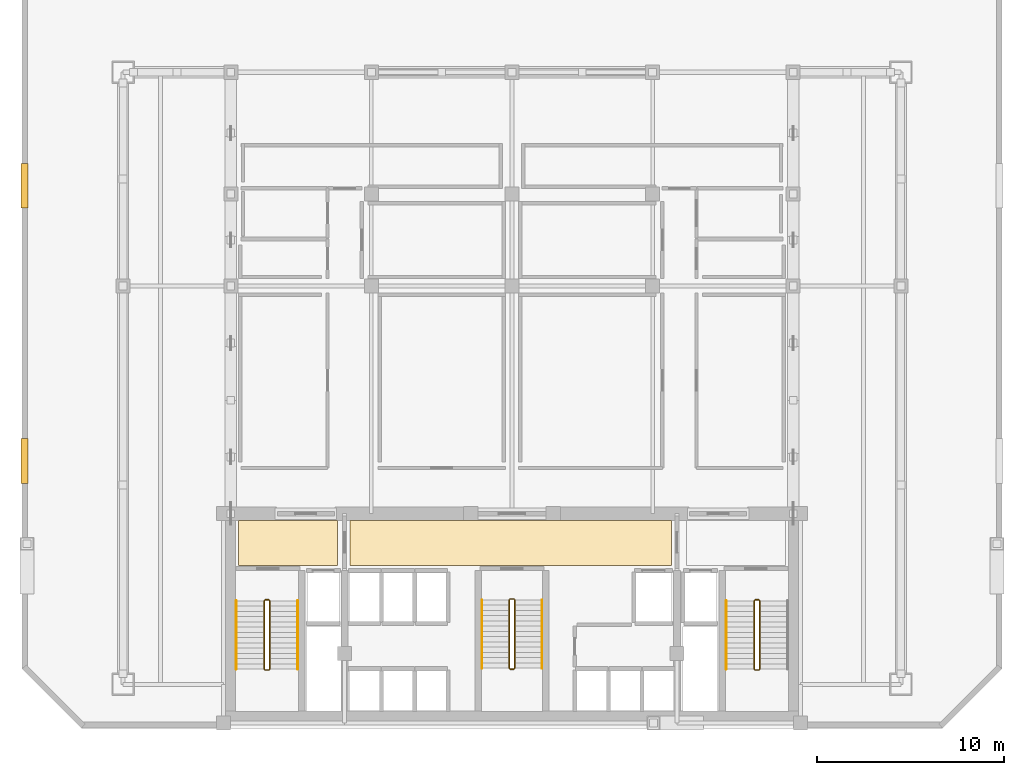
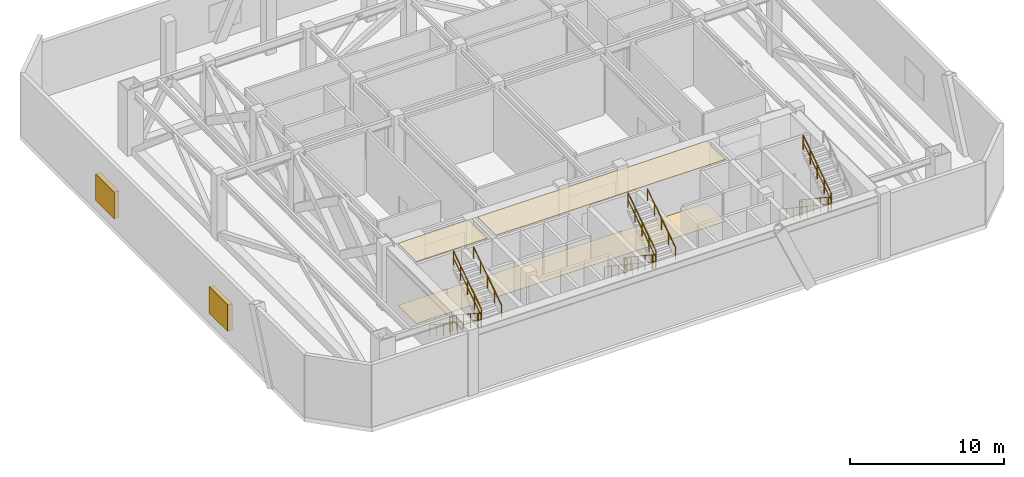
# One storey, part 9 of 10: 17 railings, 4 coverings, 2 shading devices.
"""IFC4 building model written with IfcOpenShell, lengths in metres."""

from ifc_helpers import new_model, si_unit, direction, frame, origin, origin_2d, place, context, subcontext, project, spatial, polyline, rectangle, circle, outline, extrude, material, layer, layer_set, type_object, element, save


model = new_model("IFC4")

# Units and contexts
model_context = context("Model", 3, precision=1e-05, world=origin(), true_north=direction((0.0, 1.0)))
body_context = subcontext(model_context, "Body", "Model", "MODEL_VIEW")
ifc_project = project(units=[si_unit("LENGTHUNIT", "METRE"), si_unit("AREAUNIT", "SQUARE_METRE"), si_unit("VOLUMEUNIT", "CUBIC_METRE"), si_unit("PLANEANGLEUNIT", "RADIAN"), si_unit("MASSUNIT", "GRAM", prefix="KILO")], contexts=[model_context])

# Site, building, storey
site_placement = place(None, origin())
site = spatial("IfcSite", under=ifc_project, at=site_placement, CompositionType="ELEMENT")
building_placement = place(site_placement, origin())
building = spatial("IfcBuilding", under=site, at=building_placement, Name="Ventersveld Concourse Tower", CompositionType="ELEMENT")
storey_placement = place(building_placement, frame((0.0, 0.0, 134.949951171875)))
storey = spatial("IfcBuildingStorey", under=building, at=storey_placement, Name="L33", CompositionType="ELEMENT", Elevation=134.949951171875)

# Coverings
ifc_material_1 = material(Name="Mineral-fibre acoustic ceiling tile", Category="gypsum")
ifc_layer_1 = layer(ifc_material_1, 0.0400390625)
ifc_layer_set_1 = layer_set([ifc_layer_1], Name="Mineral-fibre acoustic ceiling tile")
covering_type_1 = type_object("IfcCoveringType", Name="COV-CEIL-ACOUSTIC", PredefinedType="CEILING", material=ifc_layer_set_1)
covering_1_placement = place(storey_placement, frame((0.0, 0.0, 4.880126953125)))
element("IfcCovering", 1, at=covering_1_placement, inside=storey, type_object=covering_type_1, Name="L33 North Lift Lobby Acoustic Ceiling", PredefinedType="CEILING", context=body_context, shape_type="SweptSolid", body=[
    extrude(outline(polyline([(20.10009765625, 8.699951171875), (37.25, 8.699951171875), (37.25, 11.10009765625), (20.10009765625, 11.10009765625), (20.10009765625, 8.699951171875)])), origin(), (0.0, 0.0, 1.0), 0.0400390625),
])
covering_2_placement = place(storey_placement, frame((0.0, 0.0, 4.880126953125)))
element("IfcCovering", 2, at=covering_2_placement, inside=storey, type_object=covering_type_1, Name="L33 West Firefighting Lobby Acoustic Ceiling", PredefinedType="CEILING", context=body_context, shape_type="SweptSolid", body=[
    extrude(outline(polyline([(14.14990234375, 8.699951171875), (19.449951171875, 8.699951171875), (19.449951171875, 11.10009765625), (14.14990234375, 11.10009765625), (14.14990234375, 8.699951171875)])), origin(), (0.0, 0.0, 1.0), 0.0400390625),
])
ifc_material_2 = material(Name="Polished Highveld granite terrazzo", Category="masonry")
ifc_layer_2 = layer(ifc_material_2, 0.02001953125)
ifc_layer_set_2 = layer_set([ifc_layer_2], Name="Polished Highveld granite terrazzo")
covering_type_2 = type_object("IfcCoveringType", Name="COV-FLOOR-TERRAZZO", PredefinedType="FLOORING", material=ifc_layer_set_2)
covering_3_placement = place(storey_placement, origin())
element("IfcCovering", 3, at=covering_3_placement, inside=storey, type_object=covering_type_2, Name="L33 North Lift Lobby Terrazzo Flooring", PredefinedType="FLOORING", context=body_context, shape_type="SweptSolid", body=[
    extrude(outline(polyline([(20.10009765625, 8.699951171875), (37.25, 8.699951171875), (37.25, 11.10009765625), (20.10009765625, 11.10009765625), (20.10009765625, 8.699951171875)])), origin(), (0.0, 0.0, 1.0), 0.02001953125),
])
covering_4_placement = place(storey_placement, origin())
element("IfcCovering", 4, at=covering_4_placement, inside=storey, type_object=covering_type_2, Name="L33 West Firefighting Lobby Terrazzo Flooring", PredefinedType="FLOORING", context=body_context, shape_type="SweptSolid", body=[
    extrude(outline(polyline([(14.14990234375, 8.699951171875), (19.449951171875, 8.699951171875), (19.449951171875, 11.10009765625), (14.14990234375, 11.10009765625), (14.14990234375, 8.699951171875)])), origin(), (0.0, 0.0, 1.0), 0.02001953125),
])

# Railings
ifc_material_3 = material(Name="Brushed stainless steel 316", Category="steel")
railing_type_1 = type_object("IfcRailingType", Name="GD-BAL-115", PredefinedType="GUARDRAIL", material=ifc_material_3)
railing_1_placement = place(storey_placement, frame((15.530029296875, 6.800048828125, 0.185791015625)))
element("IfcRailing", 5, at=railing_1_placement, inside=storey, type_object=railing_type_1, Name="L33 ST-01 stair guard 1", PredefinedType="GUARDRAIL", context=body_context, shape_type="SweptSolid", body=[
    extrude(circle(Radius=0.02392578125, at=origin_2d()), frame((0.0, 0.0, 1.1259765625), z_axis=(0.0, -0.833363587613, 0.552725185641), x_axis=(1.0, 0.0, 0.0)), (0.0, 0.0, 1.0), 4.367919921875),
    extrude(circle(Radius=0.01611328125, at=origin_2d()), frame((0.0, 0.0, 0.574951171875), z_axis=(0.0, -0.833363587613, 0.552725185641), x_axis=(1.0, 0.0, 0.0)), (0.0, 0.0, 1.0), 4.367919921875),
    extrude(circle(Radius=0.02099609375, at=origin_2d()), origin(), (0.0, 0.0, 1.0), 1.101806640625),
    extrude(circle(Radius=0.02099609375, at=origin_2d()), frame((0.0, -0.91015625, 0.603515625)), (0.0, 0.0, 1.0), 1.101806640625),
    extrude(circle(Radius=0.02099609375, at=origin_2d()), frame((0.0, -1.820068359375, 1.20703125)), (0.0, 0.0, 1.0), 1.101806640625),
    extrude(circle(Radius=0.02099609375, at=origin_2d()), frame((0.0, -2.72998046875, 1.810791015625)), (0.0, 0.0, 1.0), 1.101806640625),
    extrude(circle(Radius=0.02099609375, at=origin_2d()), frame((0.0, -3.64013671875, 2.414306640625)), (0.0, 0.0, 1.0), 1.101806640625),
])
railing_2_placement = place(storey_placement, frame((15.580078125, 3.110107421875, 2.60009765625)))
element("IfcRailing", 6, at=railing_2_placement, inside=storey, type_object=railing_type_1, Name="L33 ST-01 stair guard 2", PredefinedType="GUARDRAIL", context=body_context, shape_type="SweptSolid", body=[
    extrude(circle(Radius=0.02392578125, at=origin_2d()), frame((0.0, 0.0, 1.1259765625), z_axis=(1.0, 0.0, 0.0), x_axis=(0.0, 1.0, 0.0)), (0.0, 0.0, 1.0), 0.199951171875),
    extrude(circle(Radius=0.01611328125, at=origin_2d()), frame((0.0, 0.0, 0.574951171875), z_axis=(1.0, 0.0, 0.0), x_axis=(0.0, 1.0, 0.0)), (0.0, 0.0, 1.0), 0.199951171875),
    extrude(circle(Radius=0.02099609375, at=origin_2d()), origin(), (0.0, 0.0, 1.0), 1.101806640625),
    extrude(circle(Radius=0.02099609375, at=origin_2d()), frame((0.199951171875, 0.0, 0.0)), (0.0, 0.0, 1.0), 1.101806640625),
])
railing_3_placement = place(storey_placement, frame((15.830078125, 3.159912109375, 2.78564453125)))
element("IfcRailing", 7, at=railing_3_placement, inside=storey, type_object=railing_type_1, Name="L33 ST-01 stair guard 3", PredefinedType="GUARDRAIL", context=body_context, shape_type="SweptSolid", body=[
    extrude(circle(Radius=0.02392578125, at=origin_2d()), frame((0.0, 0.0, 1.1259765625), z_axis=(0.0, 0.833363587613, 0.552725185641), x_axis=(-1.0, 0.0, 0.0)), (0.0, 0.0, 1.0), 4.367919921875),
    extrude(circle(Radius=0.01611328125, at=origin_2d()), frame((0.0, 0.0, 0.574951171875), z_axis=(0.0, 0.833363587613, 0.552725185641), x_axis=(-1.0, 0.0, 0.0)), (0.0, 0.0, 1.0), 4.367919921875),
    extrude(circle(Radius=0.02099609375, at=origin_2d()), origin(), (0.0, 0.0, 1.0), 1.101806640625),
    extrude(circle(Radius=0.02099609375, at=origin_2d()), frame((0.0, 0.91015625, 0.603515625)), (0.0, 0.0, 1.0), 1.101806640625),
    extrude(circle(Radius=0.02099609375, at=origin_2d()), frame((0.0, 1.820068359375, 1.20703125)), (0.0, 0.0, 1.0), 1.101806640625),
    extrude(circle(Radius=0.02099609375, at=origin_2d()), frame((0.0, 2.72998046875, 1.810791015625)), (0.0, 0.0, 1.0), 1.101806640625),
    extrude(circle(Radius=0.02099609375, at=origin_2d()), frame((0.0, 3.64013671875, 2.414306640625)), (0.0, 0.0, 1.0), 1.101806640625),
])
railing_4_placement = place(storey_placement, frame((15.580078125, 6.85009765625, 0.0)))
element("IfcRailing", 8, at=railing_4_placement, inside=storey, type_object=railing_type_1, Name="L33 ST-01 stair guard 4", PredefinedType="GUARDRAIL", context=body_context, shape_type="SweptSolid", body=[
    extrude(circle(Radius=0.02392578125, at=origin_2d()), frame((0.0, 0.0, 1.1259765625), z_axis=(1.0, 0.0, 0.0), x_axis=(0.0, 1.0, 0.0)), (0.0, 0.0, 1.0), 0.199951171875),
    extrude(circle(Radius=0.01611328125, at=origin_2d()), frame((0.0, 0.0, 0.574951171875), z_axis=(1.0, 0.0, 0.0), x_axis=(0.0, 1.0, 0.0)), (0.0, 0.0, 1.0), 0.199951171875),
    extrude(circle(Radius=0.02099609375, at=origin_2d()), origin(), (0.0, 0.0, 1.0), 1.101806640625),
    extrude(circle(Radius=0.02099609375, at=origin_2d()), frame((0.199951171875, 0.0, 0.0)), (0.0, 0.0, 1.0), 1.101806640625),
])
railing_5_placement = place(storey_placement, frame((41.669921875, 6.800048828125, 0.185791015625)))
element("IfcRailing", 9, at=railing_5_placement, inside=storey, type_object=railing_type_1, Name="L33 ST-02 stair guard 1", PredefinedType="GUARDRAIL", context=body_context, shape_type="SweptSolid", body=[
    extrude(circle(Radius=0.02392578125, at=origin_2d()), frame((0.0, 0.0, 1.1259765625), z_axis=(0.0, -0.833363587613, 0.552725185641), x_axis=(1.0, 0.0, 0.0)), (0.0, 0.0, 1.0), 4.367919921875),
    extrude(circle(Radius=0.01611328125, at=origin_2d()), frame((0.0, 0.0, 0.574951171875), z_axis=(0.0, -0.833363587613, 0.552725185641), x_axis=(1.0, 0.0, 0.0)), (0.0, 0.0, 1.0), 4.367919921875),
    extrude(circle(Radius=0.02099609375, at=origin_2d()), origin(), (0.0, 0.0, 1.0), 1.101806640625),
    extrude(circle(Radius=0.02099609375, at=origin_2d()), frame((0.0, -0.91015625, 0.603515625)), (0.0, 0.0, 1.0), 1.101806640625),
    extrude(circle(Radius=0.02099609375, at=origin_2d()), frame((0.0, -1.820068359375, 1.20703125)), (0.0, 0.0, 1.0), 1.101806640625),
    extrude(circle(Radius=0.02099609375, at=origin_2d()), frame((0.0, -2.72998046875, 1.810791015625)), (0.0, 0.0, 1.0), 1.101806640625),
    extrude(circle(Radius=0.02099609375, at=origin_2d()), frame((0.0, -3.64013671875, 2.414306640625)), (0.0, 0.0, 1.0), 1.101806640625),
])
railing_6_placement = place(storey_placement, frame((41.719970703125, 3.110107421875, 2.60009765625)))
element("IfcRailing", 10, at=railing_6_placement, inside=storey, type_object=railing_type_1, Name="L33 ST-02 stair guard 2", PredefinedType="GUARDRAIL", context=body_context, shape_type="SweptSolid", body=[
    extrude(circle(Radius=0.02392578125, at=origin_2d()), frame((0.0, 0.0, 1.1259765625), z_axis=(1.0, 0.0, 0.0), x_axis=(0.0, 1.0, 0.0)), (0.0, 0.0, 1.0), 0.199951171875),
    extrude(circle(Radius=0.01611328125, at=origin_2d()), frame((0.0, 0.0, 0.574951171875), z_axis=(1.0, 0.0, 0.0), x_axis=(0.0, 1.0, 0.0)), (0.0, 0.0, 1.0), 0.199951171875),
    extrude(circle(Radius=0.02099609375, at=origin_2d()), origin(), (0.0, 0.0, 1.0), 1.101806640625),
    extrude(circle(Radius=0.02099609375, at=origin_2d()), frame((0.199951171875, 0.0, 0.0)), (0.0, 0.0, 1.0), 1.101806640625),
])
railing_7_placement = place(storey_placement, frame((41.969970703125, 3.159912109375, 2.78564453125)))
element("IfcRailing", 11, at=railing_7_placement, inside=storey, type_object=railing_type_1, Name="L33 ST-02 stair guard 3", PredefinedType="GUARDRAIL", context=body_context, shape_type="SweptSolid", body=[
    extrude(circle(Radius=0.02392578125, at=origin_2d()), frame((0.0, 0.0, 1.1259765625), z_axis=(0.0, 0.833363587613, 0.552725185641), x_axis=(-1.0, 0.0, 0.0)), (0.0, 0.0, 1.0), 4.367919921875),
    extrude(circle(Radius=0.01611328125, at=origin_2d()), frame((0.0, 0.0, 0.574951171875), z_axis=(0.0, 0.833363587613, 0.552725185641), x_axis=(-1.0, 0.0, 0.0)), (0.0, 0.0, 1.0), 4.367919921875),
    extrude(circle(Radius=0.02099609375, at=origin_2d()), origin(), (0.0, 0.0, 1.0), 1.101806640625),
    extrude(circle(Radius=0.02099609375, at=origin_2d()), frame((0.0, 0.91015625, 0.603515625)), (0.0, 0.0, 1.0), 1.101806640625),
    extrude(circle(Radius=0.02099609375, at=origin_2d()), frame((0.0, 1.820068359375, 1.20703125)), (0.0, 0.0, 1.0), 1.101806640625),
    extrude(circle(Radius=0.02099609375, at=origin_2d()), frame((0.0, 2.72998046875, 1.810791015625)), (0.0, 0.0, 1.0), 1.101806640625),
    extrude(circle(Radius=0.02099609375, at=origin_2d()), frame((0.0, 3.64013671875, 2.414306640625)), (0.0, 0.0, 1.0), 1.101806640625),
])
railing_8_placement = place(storey_placement, frame((41.719970703125, 6.85009765625, 0.0)))
element("IfcRailing", 12, at=railing_8_placement, inside=storey, type_object=railing_type_1, Name="L33 ST-02 stair guard 4", PredefinedType="GUARDRAIL", context=body_context, shape_type="SweptSolid", body=[
    extrude(circle(Radius=0.02392578125, at=origin_2d()), frame((0.0, 0.0, 1.1259765625), z_axis=(1.0, 0.0, 0.0), x_axis=(0.0, 1.0, 0.0)), (0.0, 0.0, 1.0), 0.199951171875),
    extrude(circle(Radius=0.01611328125, at=origin_2d()), frame((0.0, 0.0, 0.574951171875), z_axis=(1.0, 0.0, 0.0), x_axis=(0.0, 1.0, 0.0)), (0.0, 0.0, 1.0), 0.199951171875),
    extrude(circle(Radius=0.02099609375, at=origin_2d()), origin(), (0.0, 0.0, 1.0), 1.101806640625),
    extrude(circle(Radius=0.02099609375, at=origin_2d()), frame((0.199951171875, 0.0, 0.0)), (0.0, 0.0, 1.0), 1.101806640625),
])
railing_9_placement = place(storey_placement, frame((28.60009765625, 6.85009765625, 0.185791015625)))
element("IfcRailing", 13, at=railing_9_placement, inside=storey, type_object=railing_type_1, Name="L33 ST-03 stair guard 1", PredefinedType="GUARDRAIL", context=body_context, shape_type="SweptSolid", body=[
    extrude(circle(Radius=0.02392578125, at=origin_2d()), frame((0.0, 0.0, 1.1259765625), z_axis=(0.0, -0.833363587613, 0.552725185641), x_axis=(1.0, 0.0, 0.0)), (0.0, 0.0, 1.0), 4.367919921875),
    extrude(circle(Radius=0.01611328125, at=origin_2d()), frame((0.0, 0.0, 0.574951171875), z_axis=(0.0, -0.833363587613, 0.552725185641), x_axis=(1.0, 0.0, 0.0)), (0.0, 0.0, 1.0), 4.367919921875),
    extrude(circle(Radius=0.02099609375, at=origin_2d()), origin(), (0.0, 0.0, 1.0), 1.101806640625),
    extrude(circle(Radius=0.02099609375, at=origin_2d()), frame((0.0, -0.91015625, 0.603515625)), (0.0, 0.0, 1.0), 1.101806640625),
    extrude(circle(Radius=0.02099609375, at=origin_2d()), frame((0.0, -1.820068359375, 1.20703125)), (0.0, 0.0, 1.0), 1.101806640625),
    extrude(circle(Radius=0.02099609375, at=origin_2d()), frame((0.0, -2.72998046875, 1.810791015625)), (0.0, 0.0, 1.0), 1.101806640625),
    extrude(circle(Radius=0.02099609375, at=origin_2d()), frame((0.0, -3.64013671875, 2.414306640625)), (0.0, 0.0, 1.0), 1.101806640625),
])
railing_10_placement = place(storey_placement, frame((28.64990234375, 3.159912109375, 2.60009765625)))
element("IfcRailing", 14, at=railing_10_placement, inside=storey, type_object=railing_type_1, Name="L33 ST-03 stair guard 2", PredefinedType="GUARDRAIL", context=body_context, shape_type="SweptSolid", body=[
    extrude(circle(Radius=0.02392578125, at=origin_2d()), frame((0.0, 0.0, 1.1259765625), z_axis=(1.0, 0.0, 0.0), x_axis=(0.0, 1.0, 0.0)), (0.0, 0.0, 1.0), 0.2001953125),
    extrude(circle(Radius=0.01611328125, at=origin_2d()), frame((0.0, 0.0, 0.574951171875), z_axis=(1.0, 0.0, 0.0), x_axis=(0.0, 1.0, 0.0)), (0.0, 0.0, 1.0), 0.2001953125),
    extrude(circle(Radius=0.02099609375, at=origin_2d()), origin(), (0.0, 0.0, 1.0), 1.101806640625),
    extrude(circle(Radius=0.02099609375, at=origin_2d()), frame((0.2001953125, 0.0, 0.0)), (0.0, 0.0, 1.0), 1.101806640625),
])
railing_11_placement = place(storey_placement, frame((28.89990234375, 3.2099609375, 2.78564453125)))
element("IfcRailing", 15, at=railing_11_placement, inside=storey, type_object=railing_type_1, Name="L33 ST-03 stair guard 3", PredefinedType="GUARDRAIL", context=body_context, shape_type="SweptSolid", body=[
    extrude(circle(Radius=0.02392578125, at=origin_2d()), frame((0.0, 0.0, 1.1259765625), z_axis=(0.0, 0.833363587613, 0.552725185641), x_axis=(-1.0, 0.0, 0.0)), (0.0, 0.0, 1.0), 4.367919921875),
    extrude(circle(Radius=0.01611328125, at=origin_2d()), frame((0.0, 0.0, 0.574951171875), z_axis=(0.0, 0.833363587613, 0.552725185641), x_axis=(-1.0, 0.0, 0.0)), (0.0, 0.0, 1.0), 4.367919921875),
    extrude(circle(Radius=0.02099609375, at=origin_2d()), origin(), (0.0, 0.0, 1.0), 1.101806640625),
    extrude(circle(Radius=0.02099609375, at=origin_2d()), frame((0.0, 0.91015625, 0.603515625)), (0.0, 0.0, 1.0), 1.101806640625),
    extrude(circle(Radius=0.02099609375, at=origin_2d()), frame((0.0, 1.820068359375, 1.20703125)), (0.0, 0.0, 1.0), 1.101806640625),
    extrude(circle(Radius=0.02099609375, at=origin_2d()), frame((0.0, 2.72998046875, 1.810791015625)), (0.0, 0.0, 1.0), 1.101806640625),
    extrude(circle(Radius=0.02099609375, at=origin_2d()), frame((0.0, 3.64013671875, 2.414306640625)), (0.0, 0.0, 1.0), 1.101806640625),
])
railing_12_placement = place(storey_placement, frame((28.64990234375, 6.89990234375, 0.0)))
element("IfcRailing", 16, at=railing_12_placement, inside=storey, type_object=railing_type_1, Name="L33 ST-03 stair guard 4", PredefinedType="GUARDRAIL", context=body_context, shape_type="SweptSolid", body=[
    extrude(circle(Radius=0.02392578125, at=origin_2d()), frame((0.0, 0.0, 1.1259765625), z_axis=(1.0, 0.0, 0.0), x_axis=(0.0, 1.0, 0.0)), (0.0, 0.0, 1.0), 0.2001953125),
    extrude(circle(Radius=0.01611328125, at=origin_2d()), frame((0.0, 0.0, 0.574951171875), z_axis=(1.0, 0.0, 0.0), x_axis=(0.0, 1.0, 0.0)), (0.0, 0.0, 1.0), 0.2001953125),
    extrude(circle(Radius=0.02099609375, at=origin_2d()), origin(), (0.0, 0.0, 1.0), 1.101806640625),
    extrude(circle(Radius=0.02099609375, at=origin_2d()), frame((0.2001953125, 0.0, 0.0)), (0.0, 0.0, 1.0), 1.101806640625),
])
railing_type_2 = type_object("IfcRailingType", Name="HR-RMP-095", PredefinedType="HANDRAIL", material=ifc_material_3)
railing_13_placement = place(storey_placement, frame((14.030029296875, 6.800048828125, 0.185791015625)))
element("IfcRailing", 17, at=railing_13_placement, inside=storey, type_object=railing_type_2, Name="L33 ST-01 stair handrail 1", PredefinedType="HANDRAIL", context=body_context, shape_type="SweptSolid", body=[
    extrude(circle(Radius=0.02392578125, at=origin_2d()), frame((0.0, 0.0, 0.92578125), z_axis=(0.0, -0.833363587613, 0.552725185641), x_axis=(1.0, 0.0, 0.0)), (0.0, 0.0, 1.0), 4.367919921875),
    extrude(circle(Radius=0.02099609375, at=origin_2d()), origin(), (0.0, 0.0, 1.0), 0.90185546875),
    extrude(circle(Radius=0.02099609375, at=origin_2d()), frame((0.0, -0.91015625, 0.603515625)), (0.0, 0.0, 1.0), 0.90185546875),
    extrude(circle(Radius=0.02099609375, at=origin_2d()), frame((0.0, -1.820068359375, 1.20703125)), (0.0, 0.0, 1.0), 0.90185546875),
    extrude(circle(Radius=0.02099609375, at=origin_2d()), frame((0.0, -2.72998046875, 1.810791015625)), (0.0, 0.0, 1.0), 0.90185546875),
    extrude(circle(Radius=0.02099609375, at=origin_2d()), frame((0.0, -3.64013671875, 2.414306640625)), (0.0, 0.0, 1.0), 0.90185546875),
])
railing_14_placement = place(storey_placement, frame((17.330078125, 3.159912109375, 2.78564453125)))
element("IfcRailing", 18, at=railing_14_placement, inside=storey, type_object=railing_type_2, Name="L33 ST-01 stair handrail 2", PredefinedType="HANDRAIL", context=body_context, shape_type="SweptSolid", body=[
    extrude(circle(Radius=0.02392578125, at=origin_2d()), frame((0.0, 0.0, 0.92578125), z_axis=(0.0, 0.833363587613, 0.552725185641), x_axis=(-1.0, 0.0, 0.0)), (0.0, 0.0, 1.0), 4.367919921875),
    extrude(circle(Radius=0.02099609375, at=origin_2d()), origin(), (0.0, 0.0, 1.0), 0.90185546875),
    extrude(circle(Radius=0.02099609375, at=origin_2d()), frame((0.0, 0.91015625, 0.603515625)), (0.0, 0.0, 1.0), 0.90185546875),
    extrude(circle(Radius=0.02099609375, at=origin_2d()), frame((0.0, 1.820068359375, 1.20703125)), (0.0, 0.0, 1.0), 0.90185546875),
    extrude(circle(Radius=0.02099609375, at=origin_2d()), frame((0.0, 2.72998046875, 1.810791015625)), (0.0, 0.0, 1.0), 0.90185546875),
    extrude(circle(Radius=0.02099609375, at=origin_2d()), frame((0.0, 3.64013671875, 2.414306640625)), (0.0, 0.0, 1.0), 0.90185546875),
])
for number, where, name in (
    (19, (40.169921875, 6.800048828125, 0.185791015625), "L33 ST-02 stair handrail 1"),
    (20, (27.14990234375, 6.85009765625, 0.185791015625), "L33 ST-03 stair handrail 1"),
):
    element("IfcRailing", number, at=place(storey_placement, frame(where)), inside=storey, type_object=railing_type_2, Name=name, PredefinedType="HANDRAIL", context=body_context, shape_type="SweptSolid", body=[
        extrude(circle(Radius=0.02392578125, at=origin_2d()), frame((0.0, 0.0, 0.92578125), z_axis=(0.0, -0.833363587613, 0.552725185641), x_axis=(1.0, 0.0, 0.0)), (0.0, 0.0, 1.0), 4.367919921875),
        extrude(circle(Radius=0.02099609375, at=origin_2d()), origin(), (0.0, 0.0, 1.0), 0.90185546875),
        extrude(circle(Radius=0.02099609375, at=origin_2d()), frame((0.0, -0.91015625, 0.603515625)), (0.0, 0.0, 1.0), 0.90185546875),
        extrude(circle(Radius=0.02099609375, at=origin_2d()), frame((0.0, -1.820068359375, 1.20703125)), (0.0, 0.0, 1.0), 0.90185546875),
        extrude(circle(Radius=0.02099609375, at=origin_2d()), frame((0.0, -2.72998046875, 1.810791015625)), (0.0, 0.0, 1.0), 0.90185546875),
        extrude(circle(Radius=0.02099609375, at=origin_2d()), frame((0.0, -3.64013671875, 2.414306640625)), (0.0, 0.0, 1.0), 0.90185546875),
    ])
railing_15_placement = place(storey_placement, frame((30.35009765625, 3.2099609375, 2.78564453125)))
element("IfcRailing", 21, at=railing_15_placement, inside=storey, type_object=railing_type_2, Name="L33 ST-03 stair handrail 2", PredefinedType="HANDRAIL", context=body_context, shape_type="SweptSolid", body=[
    extrude(circle(Radius=0.02392578125, at=origin_2d()), frame((0.0, 0.0, 0.92578125), z_axis=(0.0, 0.833363587613, 0.552725185641), x_axis=(-1.0, 0.0, 0.0)), (0.0, 0.0, 1.0), 4.367919921875),
    extrude(circle(Radius=0.02099609375, at=origin_2d()), origin(), (0.0, 0.0, 1.0), 0.90185546875),
    extrude(circle(Radius=0.02099609375, at=origin_2d()), frame((0.0, 0.91015625, 0.603515625)), (0.0, 0.0, 1.0), 0.90185546875),
    extrude(circle(Radius=0.02099609375, at=origin_2d()), frame((0.0, 1.820068359375, 1.20703125)), (0.0, 0.0, 1.0), 0.90185546875),
    extrude(circle(Radius=0.02099609375, at=origin_2d()), frame((0.0, 2.72998046875, 1.810791015625)), (0.0, 0.0, 1.0), 0.90185546875),
    extrude(circle(Radius=0.02099609375, at=origin_2d()), frame((0.0, 3.64013671875, 2.414306640625)), (0.0, 0.0, 1.0), 0.90185546875),
])

# Shading devices
ifc_material_4 = material(Name="Anodised aluminium EN AW-6063-T6", Category="aluminium")
shading_device_type = type_object("IfcShadingDeviceType", Name="SHD-LOUVRE-300", PredefinedType="JALOUSIE", material=ifc_material_4)
for number, where, z_axis, x_axis, name in (
    (22, (2.75, 28.944091796875, 0.800048828125), (0.0, 0.0, 1.0), (0.0, -1.0, 0.0), "L33 Mechanical Plant Louvre W1"),
    (23, (2.75, 14.256103515625, 0.800048828125), (0.0, 0.0, 1.0), (0.0, -1.0, 0.0), "L33 Mechanical Plant Louvre W2"),
):
    element("IfcShadingDevice", number, at=place(storey_placement, frame(where, z_axis=z_axis, x_axis=x_axis)), inside=storey, type_object=shading_device_type, Name=name, PredefinedType="JALOUSIE", context=body_context, shape_type="SweptSolid", body=[
        extrude(rectangle(XDim=2.39990234375, YDim=0.360107421875, at=origin_2d()), origin(), (0.0, 0.0, 1.0), 2.10009765625),
    ])

save(model, "model.ifc")
